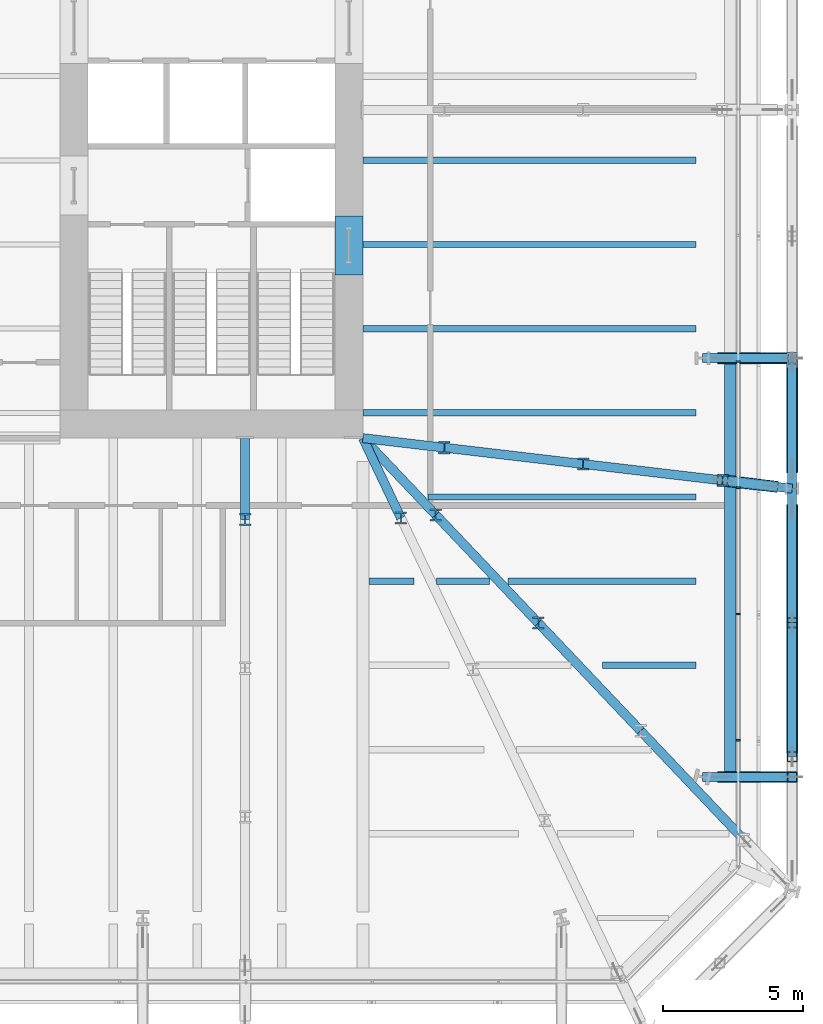
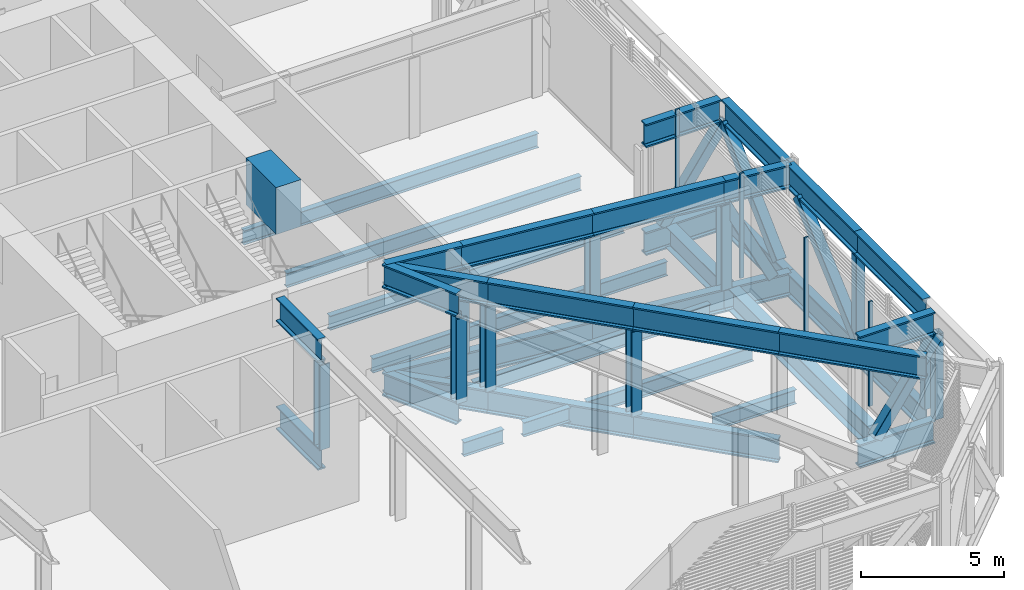
# One storey, part 8 of 29: 41 beams, 20 members, 1 element without a shape of its own.
"""IFC4 building model written with IfcOpenShell, lengths in metres."""

from ifc_helpers import new_model, si_unit, direction, frame, origin, origin_2d, place, context, subcontext, project, spatial, rectangle, hollow_rectangle, i_section, extrude, material, layer, layer_set, material_profile, profile_set, type_object, element, aggregate, save


model = new_model("IFC4")

# Units and contexts
model_context = context("Model", 3, precision=1e-05, world=origin(), true_north=direction((0.0, 1.0)))
body_context = subcontext(model_context, "Body", "Model", "MODEL_VIEW")
ifc_project = project(units=[si_unit("LENGTHUNIT", "METRE"), si_unit("AREAUNIT", "SQUARE_METRE"), si_unit("VOLUMEUNIT", "CUBIC_METRE"), si_unit("PLANEANGLEUNIT", "RADIAN"), si_unit("MASSUNIT", "GRAM", prefix="KILO")], contexts=[model_context])

# Site, building, storey
site_placement = place(None, origin())
site = spatial("IfcSite", under=ifc_project, at=site_placement, CompositionType="ELEMENT")
building_placement = place(site_placement, origin())
building = spatial("IfcBuilding", under=site, at=building_placement, Name="Millrace Tower", CompositionType="ELEMENT")
storey_placement = place(building_placement, frame((0.0, 0.0, 68.60009765625)))
storey = spatial("IfcBuildingStorey", under=building, at=storey_placement, Name="L15", CompositionType="ELEMENT", Elevation=68.60009765625)

# Curtain wall, members
ifc_material_1 = material(Name="Aluminium and glass", Category="aluminium")
ifc_layer = layer(ifc_material_1, 0.14990234375)
ifc_layer_set = layer_set([ifc_layer], Name="Aluminium and glass")
curtain_wall_type = type_object("IfcCurtainWallType", Name="CW-5 truss and plant storey louvred infill", PredefinedType="NOTDEFINED", material=ifc_layer_set)
curtain_wall_placement = place(storey_placement, origin())
curtain_wall = element("IfcCurtainWall", 1, at=curtain_wall_placement, inside=storey, type_object=curtain_wall_type, Name="Curtain wall B-F04 L15", PredefinedType="NOTDEFINED")
ifc_material_2 = material(Name="Aluminium", Category="aluminium")
ifc_material_profile_1 = material_profile(ifc_material_2, rectangle(XDim=0.06494140625, YDim=0.14990234375, at=origin_2d()))
ifc_profile_set_1 = profile_set([ifc_material_profile_1], Name="Aluminium")
member_type_1 = type_object("IfcMemberType", Name="CW-5 truss and plant storey louvred infill mullion", PredefinedType="MULLION", material=ifc_profile_set_1)
member_1_placement = place(storey_placement, frame((28.27490234375, -20.66748046875, 0.139892578125), z_axis=(0.0, 0.0, 1.0), x_axis=(0.0, 1.0, 0.0)))
member_1 = element("IfcMember", 2, at=member_1_placement, type_object=member_type_1, Name="CW5 mullion B-F04.2", PredefinedType="MULLION", context=body_context, shape_type="SweptSolid", body=[
    extrude(rectangle(XDim=0.06494140625, YDim=0.14990234375, at=origin_2d()), origin(), (0.0, 0.0, 1.0), 4.4599609375),
])
member_2_placement = place(storey_placement, frame((28.27490234375, -16.16748046875, 0.139892578125), z_axis=(0.0, 0.0, 1.0), x_axis=(0.0, 1.0, 0.0)))
member_2 = element("IfcMember", 3, at=member_2_placement, type_object=member_type_1, Name="CW5 mullion B-F04.3", PredefinedType="MULLION", context=body_context, shape_type="SweptSolid", body=[
    extrude(rectangle(XDim=0.06494140625, YDim=0.14990234375, at=origin_2d()), origin(), (0.0, 0.0, 1.0), 4.4599609375),
])
member_3_placement = place(storey_placement, frame((28.27490234375, -11.66748046875, 0.139892578125), z_axis=(0.0, 0.0, 1.0), x_axis=(0.0, 1.0, 0.0)))
member_3 = element("IfcMember", 4, at=member_3_placement, type_object=member_type_1, Name="CW5 mullion B-F04.4", PredefinedType="MULLION", context=body_context, shape_type="SweptSolid", body=[
    extrude(rectangle(XDim=0.06494140625, YDim=0.14990234375, at=origin_2d()), origin(), (0.0, 0.0, 1.0), 4.4599609375),
])
member_4_placement = place(storey_placement, frame((28.27490234375, -7.16748046875, 0.139892578125), z_axis=(0.0, 0.0, 1.0), x_axis=(0.0, 1.0, 0.0)))
member_4 = element("IfcMember", 5, at=member_4_placement, type_object=member_type_1, Name="CW5 mullion B-F04.5", PredefinedType="MULLION", context=body_context, shape_type="SweptSolid", body=[
    extrude(rectangle(XDim=0.06494140625, YDim=0.14990234375, at=origin_2d()), origin(), (0.0, 0.0, 1.0), 4.4599609375),
])
aggregate(curtain_wall, [member_1, member_2, member_3, member_4])

# Beams
ifc_material_3 = material(Name="Concrete C80", Category="concrete")
ifc_material_profile_2 = material_profile(ifc_material_3, rectangle(XDim=1.0, YDim=2.0, at=origin_2d()))
ifc_profile_set_2 = profile_set([ifc_material_profile_2], Name="Concrete C80")
beam_type_1 = type_object("IfcBeamType", Name="Coupling beam 1000 x 2000 Concrete C80, 1300 opening", PredefinedType="BEAM", material=ifc_profile_set_2)
beam_1_placement = place(storey_placement, frame((14.39990234375, -1.97998046875, 3.39990234375), z_axis=(0.0, -1.0, 0.0), x_axis=(1.0, 0.0, 0.0)))
element("IfcBeam", 6, at=beam_1_placement, inside=storey, type_object=beam_type_1, Name="Coupling beam E L15", PredefinedType="BEAM", context=body_context, shape_type="SweptSolid", body=[
    extrude(rectangle(XDim=1.0, YDim=2.0, at=origin_2d()), origin(), (0.0, 0.0, 1.0), 2.10009765625),
])
ifc_material_4 = material(Name="Steel ASTM A992 Grade 50", Category="steel")
ifc_material_profile_3 = material_profile(ifc_material_4, i_section(OverallWidth=0.228271484375, OverallDepth=0.607177734375, WebThickness=0.01123046875, FlangeThickness=0.017333984375, FilletRadius=0.0126953125, at=origin_2d()))
ifc_profile_set_3 = profile_set([ifc_material_profile_3], Name="Steel ASTM A992 Grade 50")
beam_type_2 = type_object("IfcBeamType", Name="Floor beam W24x76", PredefinedType="JOIST", material=ifc_profile_set_3)
beam_2_placement = place(storey_placement, frame((15.11083984375, -15.0, -0.503662109375), z_axis=(1.0, 0.0, 0.0), x_axis=(0.0, 1.0, 0.0)))
element("IfcBeam", 7, at=beam_2_placement, inside=storey, type_object=beam_type_2, Name="BM-B-L15-S1-S010-a", PredefinedType="JOIST", context=body_context, shape_type="SweptSolid", body=[
    extrude(i_section(OverallWidth=0.228271484375, OverallDepth=0.607177734375, WebThickness=0.01123046875, FlangeThickness=0.017333984375, FilletRadius=0.0126953125, at=origin_2d()), origin(), (0.0, 0.0, 1.0), 1.6123046875),
])
for number, where, z_axis, x_axis, name in (
    (8, (14.89990234375, -9.0, -0.503662109375), (1.0, 0.0, 0.0), (0.0, 1.0, 0.0), "BM-B-L15-S1-S015"),
    (9, (14.89990234375, -6.0, -0.503662109375), (1.0, 0.0, 0.0), (0.0, 1.0, 0.0), "BM-B-L15-S1-S018"),
    (10, (14.89990234375, -3.0, -0.503662109375), (1.0, 0.0, 0.0), (0.0, 1.0, 0.0), "BM-B-L15-S1-S021"),
    (11, (14.89990234375, 0.0, -0.503662109375), (1.0, 0.0, 0.0), (0.0, 1.0, 0.0), "BM-B-L15-S1-S024"),
):
    element("IfcBeam", number, at=place(storey_placement, frame(where, z_axis=z_axis, x_axis=x_axis)), inside=storey, type_object=beam_type_2, Name=name, PredefinedType="JOIST", context=body_context, shape_type="SweptSolid", body=[
        extrude(i_section(OverallWidth=0.228271484375, OverallDepth=0.607177734375, WebThickness=0.01123046875, FlangeThickness=0.017333984375, FilletRadius=0.0126953125, at=origin_2d()), origin(), (0.0, 0.0, 1.0), 11.87939453125),
    ])
beam_3_placement = place(storey_placement, frame((23.441162109375, -18.0, -0.503662109375), z_axis=(1.0, 0.0, 0.0), x_axis=(0.0, 1.0, 0.0)))
element("IfcBeam", 12, at=beam_3_placement, inside=storey, type_object=beam_type_2, Name="BM-B-L15-S1-S008-b-b", PredefinedType="JOIST", context=body_context, shape_type="SweptSolid", body=[
    extrude(i_section(OverallWidth=0.228271484375, OverallDepth=0.607177734375, WebThickness=0.01123046875, FlangeThickness=0.017333984375, FilletRadius=0.0126953125, at=origin_2d()), origin(), (0.0, 0.0, 1.0), 3.338134765625),
])
beam_4_placement = place(storey_placement, frame((17.2265625, -12.0, -0.503662109375), z_axis=(1.0, 0.0, 0.0), x_axis=(0.0, 1.0, 0.0)))
element("IfcBeam", 13, at=beam_4_placement, inside=storey, type_object=beam_type_2, Name="BM-B-L15-S1-S012", PredefinedType="JOIST", context=body_context, shape_type="SweptSolid", body=[
    extrude(i_section(OverallWidth=0.228271484375, OverallDepth=0.607177734375, WebThickness=0.01123046875, FlangeThickness=0.017333984375, FilletRadius=0.0126953125, at=origin_2d()), origin(), (0.0, 0.0, 1.0), 9.552001953125),
])
beam_5_placement = place(storey_placement, frame((17.515625, -15.0, -0.503662109375), z_axis=(1.0, 0.0, 0.0), x_axis=(0.0, 1.0, 0.0)))
element("IfcBeam", 14, at=beam_5_placement, inside=storey, type_object=beam_type_2, Name="BM-B-L15-S1-S010-b-a", PredefinedType="JOIST", context=body_context, shape_type="SweptSolid", body=[
    extrude(i_section(OverallWidth=0.228271484375, OverallDepth=0.607177734375, WebThickness=0.01123046875, FlangeThickness=0.017333984375, FilletRadius=0.0126953125, at=origin_2d()), origin(), (0.0, 0.0, 1.0), 1.88671875),
])
beam_6_placement = place(storey_placement, frame((20.07373046875, -15.0, -0.503662109375), z_axis=(1.0, 0.0, 0.0), x_axis=(0.0, 1.0, 0.0)))
element("IfcBeam", 15, at=beam_6_placement, inside=storey, type_object=beam_type_2, Name="BM-B-L15-S1-S010-b-b", PredefinedType="JOIST", context=body_context, shape_type="SweptSolid", body=[
    extrude(i_section(OverallWidth=0.228271484375, OverallDepth=0.607177734375, WebThickness=0.01123046875, FlangeThickness=0.017333984375, FilletRadius=0.0126953125, at=origin_2d()), origin(), (0.0, 0.0, 1.0), 6.70556640625),
])
ifc_material_5 = material(Name="Steel ASTM A992 Grade 50", Category="steel")
ifc_material_profile_4 = material_profile(ifc_material_5, i_section(OverallWidth=0.419189453125, OverallDepth=0.927001953125, WebThickness=0.019287109375, FlangeThickness=0.031982421875, FilletRadius=0.024169921875, at=origin_2d()))
ifc_profile_set_4 = profile_set([ifc_material_profile_4], Name="Steel ASTM A992 Grade 50")
beam_type_3 = type_object("IfcBeamType", Name="Ring beam short span W36x231", PredefinedType="SPANDREL", material=ifc_profile_set_4)
beam_7_placement = place(storey_placement, frame((27.990478515625, -11.6279296875, -0.66357421875), z_axis=(0.0, -1.0, 0.0), x_axis=(1.0, 0.0, 0.0)))
element("IfcBeam", 16, at=beam_7_placement, inside=storey, type_object=beam_type_3, Name="RNG-B-L15-S1-11-a", PredefinedType="SPANDREL", context=body_context, shape_type="SweptSolid", body=[
    extrude(i_section(OverallWidth=0.419189453125, OverallDepth=0.927001953125, WebThickness=0.019287109375, FlangeThickness=0.031982421875, FilletRadius=0.024169921875, at=origin_2d()), origin(), (0.0, 0.0, 1.0), 10.187744140625),
])
beam_8_placement = place(storey_placement, frame((27.990478515625, -7.212890625, -0.66357421875), z_axis=(0.0, -1.0, 0.0), x_axis=(1.0, 0.0, 0.0)))
element("IfcBeam", 17, at=beam_8_placement, inside=storey, type_object=beam_type_3, Name="RNG-B-L15-S1-10-b", PredefinedType="SPANDREL", context=body_context, shape_type="SweptSolid", body=[
    extrude(i_section(OverallWidth=0.419189453125, OverallDepth=0.927001953125, WebThickness=0.019287109375, FlangeThickness=0.031982421875, FilletRadius=0.024169921875, at=origin_2d()), origin(), (0.0, 0.0, 1.0), 4.060791015625),
])

# Members
ifc_material_6 = material(Name="Steel ASTM A992 Grade 50", Category="steel")
ifc_material_profile_5 = material_profile(ifc_material_6, i_section(OverallWidth=0.411376953125, OverallDepth=0.434326171875, WebThickness=0.035888671875, FlangeThickness=0.057373046875, FilletRadius=0.01513671875, at=origin_2d()))
ifc_profile_set_5 = profile_set([ifc_material_profile_5], Name="Steel ASTM A992 Grade 50")
member_type_2 = type_object("IfcMemberType", Name="Transfer truss Vierendeel moment post W14x311", PredefinedType="POST", material=ifc_profile_set_5)
for number, where, z_axis, x_axis, name in (
    (18, (10.699951171875, -12.800048828125, -0.2001953125), (0.0, 0.0, 1.0), (1.0, 0.0, 0.0), "TRS-L15-C04-V04"),
    (19, (16.252685546875, -12.744873046875, -0.2001953125), (0.0, 0.0, 1.0), (1.0, 0.0, 0.0), "TRS-L15-C05-V04"),
    (20, (21.14990234375, -16.48828125, -0.2001953125), (0.0, 0.0, 1.0), (1.0, 0.0, 0.0), "TRS-L15-C06-V03"),
    (21, (17.49462890625, -12.63525390625, -0.2001953125), (0.0, 0.0, 1.0), (1.0, 0.0, 0.0), "TRS-L15-C06-V04"),
    (22, (27.717041015625, -11.407958984375, -0.2001953125), (0.0, 0.0, 1.0), (1.0, 0.0, 0.0), "TRS-L15-C07-V01"),
    (23, (22.75146484375, -10.82373046875, -0.2001953125), (0.0, 0.0, 1.0), (1.0, 0.0, 0.0), "TRS-L15-C07-V02"),
    (24, (17.800048828125, -10.2412109375, -0.2001953125), (0.0, 0.0, 1.0), (1.0, 0.0, 0.0), "TRS-L15-C07-V03"),
):
    element("IfcMember", number, at=place(storey_placement, frame(where, z_axis=z_axis, x_axis=x_axis)), inside=storey, type_object=member_type_2, Name=name, PredefinedType="POST", context=body_context, shape_type="SweptSolid", body=[
        extrude(i_section(OverallWidth=0.411376953125, OverallDepth=0.434326171875, WebThickness=0.035888671875, FlangeThickness=0.057373046875, FilletRadius=0.01513671875, at=origin_2d()), origin(), (0.0, 0.0, 1.0), 3.60693359375),
    ])

# Beams
ifc_material_7 = material(Name="Steel ASTM A992 Grade 50", Category="steel")
ifc_material_profile_6 = material_profile(ifc_material_7, i_section(OverallWidth=0.322509765625, OverallDepth=0.9931640625, WebThickness=0.0361328125, FlangeThickness=0.06494140625, FilletRadius=0.01904296875, at=origin_2d()))
ifc_profile_set_6 = profile_set([ifc_material_profile_6], Name="Steel ASTM A992 Grade 50")
beam_type_4 = type_object("IfcBeamType", Name="Transfer truss chord W36x387", PredefinedType="BEAM", material=ifc_profile_set_6)
for number, where, z_axis, x_axis, name in (
    (25, (30.199951171875, -21.252197265625, -0.69677734375), (0.0, 1.0, 0.0), (-1.0, 0.0, 0.0), "TRS-L15-R06-B02"),
    (26, (30.199951171875, -21.252197265625, 3.9033203125), (0.0, 1.0, 0.0), (-1.0, 0.0, 0.0), "TRS-L15-R06-T02"),
    (27, (30.199951171875, -16.47607421875, -0.69677734375), (0.0, 1.0, 0.0), (-1.0, 0.0, 0.0), "TRS-L15-R06-B03"),
    (28, (30.199951171875, -16.47607421875, 3.9033203125), (0.0, 1.0, 0.0), (-1.0, 0.0, 0.0), "TRS-L15-R06-T03"),
):
    element("IfcBeam", number, at=place(storey_placement, frame(where, z_axis=z_axis, x_axis=x_axis)), inside=storey, type_object=beam_type_4, Name=name, PredefinedType="BEAM", context=body_context, shape_type="SweptSolid", body=[
        extrude(i_section(OverallWidth=0.322509765625, OverallDepth=0.9931640625, WebThickness=0.0361328125, FlangeThickness=0.06494140625, FilletRadius=0.01904296875, at=origin_2d()), origin(), (0.0, 0.0, 1.0), 4.776123046875),
    ])
for number, where, z_axis, x_axis, name in (
    (29, (30.199951171875, -11.699951171875, -0.69677734375), (0.0, 1.0, 0.0), (-1.0, 0.0, 0.0), "TRS-L15-R07-B01"),
    (30, (30.199951171875, -11.699951171875, 3.9033203125), (0.0, 1.0, 0.0), (-1.0, 0.0, 0.0), "TRS-L15-R07-T01"),
):
    element("IfcBeam", number, at=place(storey_placement, frame(where, z_axis=z_axis, x_axis=x_axis)), inside=storey, type_object=beam_type_4, Name=name, PredefinedType="BEAM", context=body_context, shape_type="SweptSolid", body=[
        extrude(i_section(OverallWidth=0.322509765625, OverallDepth=0.9931640625, WebThickness=0.0361328125, FlangeThickness=0.06494140625, FilletRadius=0.01904296875, at=origin_2d()), origin(), (0.0, 0.0, 1.0), 4.5),
    ])
for number, where, z_axis, x_axis, name in (
    (31, (10.699951171875, -12.800048828125, -0.69677734375), (0.0, 1.0, 0.0), (-1.0, 0.0, 0.0), "TRS-L15-C04-B05"),
    (32, (10.699951171875, -12.800048828125, 3.9033203125), (0.0, 1.0, 0.0), (-1.0, 0.0, 0.0), "TRS-L15-C04-T05"),
):
    element("IfcBeam", number, at=place(storey_placement, frame(where, z_axis=z_axis, x_axis=x_axis)), inside=storey, type_object=beam_type_4, Name=name, PredefinedType="BEAM", context=body_context, shape_type="SweptSolid", body=[
        extrude(i_section(OverallWidth=0.322509765625, OverallDepth=0.9931640625, WebThickness=0.0361328125, FlangeThickness=0.06494140625, FilletRadius=0.01904296875, at=origin_2d()), origin(), (0.0, 0.0, 1.0), 2.900146484375),
    ])
for number, where, z_axis, x_axis, name in (
    (33, (16.252685546875, -12.744873046875, -0.69677734375), (-0.42942510933, 0.903102472301, 0.0), (-0.903102472301, -0.42942510933, 0.0), "TRS-L15-C05-B05"),
    (34, (16.252685546875, -12.744873046875, 3.9033203125), (-0.42942510933, 0.903102472301, 0.0), (-0.903102472301, -0.42942510933, 0.0), "TRS-L15-C05-T05"),
):
    element("IfcBeam", number, at=place(storey_placement, frame(where, z_axis=z_axis, x_axis=x_axis)), inside=storey, type_object=beam_type_4, Name=name, PredefinedType="BEAM", context=body_context, shape_type="SweptSolid", body=[
        extrude(i_section(OverallWidth=0.322509765625, OverallDepth=0.9931640625, WebThickness=0.0361328125, FlangeThickness=0.06494140625, FilletRadius=0.01904296875, at=origin_2d()), origin(), (0.0, 0.0, 1.0), 3.150146484375),
    ])
beam_9_placement = place(storey_placement, frame((28.4794921875, -24.214599609375, 3.9033203125), z_axis=(-0.688243188925, 0.725480056858, 0.0), x_axis=(-0.725480056858, -0.688243188925, 0.0)))
element("IfcBeam", 35, at=beam_9_placement, inside=storey, type_object=beam_type_4, Name="TRS-L15-C06-T02", PredefinedType="BEAM", context=body_context, shape_type="SweptSolid", body=[
    extrude(i_section(OverallWidth=0.322509765625, OverallDepth=0.9931640625, WebThickness=0.0361328125, FlangeThickness=0.06494140625, FilletRadius=0.01904296875, at=origin_2d()), origin(), (0.0, 0.0, 1.0), 5.35009765625),
])
for number, where, z_axis, x_axis, name in (
    (36, (24.79736328125, -20.333251953125, -0.69677734375), (-0.688227483589, 0.725494955759, 0.0), (-0.725494955759, -0.688227483589, 0.0), "TRS-L15-C06-B03"),
    (37, (24.79736328125, -20.333251953125, 3.9033203125), (-0.688227483589, 0.725494955759, 0.0), (-0.725494955759, -0.688227483589, 0.0), "TRS-L15-C06-T03"),
):
    element("IfcBeam", number, at=place(storey_placement, frame(where, z_axis=z_axis, x_axis=x_axis)), inside=storey, type_object=beam_type_4, Name=name, PredefinedType="BEAM", context=body_context, shape_type="SweptSolid", body=[
        extrude(i_section(OverallWidth=0.322509765625, OverallDepth=0.9931640625, WebThickness=0.0361328125, FlangeThickness=0.06494140625, FilletRadius=0.01904296875, at=origin_2d()), origin(), (0.0, 0.0, 1.0), 5.2998046875),
    ])
for number, where, z_axis, x_axis, name in (
    (38, (21.14990234375, -16.48828125, -0.69677734375), (-0.688244302917, 0.725479000042, 0.0), (-0.725479000042, -0.688244302917, 0.0), "TRS-L15-C06-B04"),
    (39, (21.14990234375, -16.48828125, 3.9033203125), (-0.688244302917, 0.725479000042, 0.0), (-0.725479000042, -0.688244302917, 0.0), "TRS-L15-C06-T04"),
):
    element("IfcBeam", number, at=place(storey_placement, frame(where, z_axis=z_axis, x_axis=x_axis)), inside=storey, type_object=beam_type_4, Name=name, PredefinedType="BEAM", context=body_context, shape_type="SweptSolid", body=[
        extrude(i_section(OverallWidth=0.322509765625, OverallDepth=0.9931640625, WebThickness=0.0361328125, FlangeThickness=0.06494140625, FilletRadius=0.01904296875, at=origin_2d()), origin(), (0.0, 0.0, 1.0), 5.31103515625),
    ])
for number, where, z_axis, x_axis, name in (
    (40, (17.49462890625, -12.63525390625, -0.69677734375), (-0.688211494725, 0.725510122968, 0.0), (-0.725510122968, -0.688211494725, 0.0), "TRS-L15-C06-B05"),
    (41, (17.49462890625, -12.63525390625, 3.9033203125), (-0.688211494725, 0.725510122968, 0.0), (-0.725510122968, -0.688211494725, 0.0), "TRS-L15-C06-T05"),
):
    element("IfcBeam", number, at=place(storey_placement, frame(where, z_axis=z_axis, x_axis=x_axis)), inside=storey, type_object=beam_type_4, Name=name, PredefinedType="BEAM", context=body_context, shape_type="SweptSolid", body=[
        extrude(i_section(OverallWidth=0.322509765625, OverallDepth=0.9931640625, WebThickness=0.0361328125, FlangeThickness=0.06494140625, FilletRadius=0.01904296875, at=origin_2d()), origin(), (0.0, 0.0, 1.0), 3.770263671875),
    ])
for number, where, z_axis, x_axis, name in (
    (42, (30.199951171875, -11.699951171875, -0.69677734375), (-0.993155936009, 0.116795919318, 0.0), (-0.116795919318, -0.993155936009, 0.0), "TRS-L15-C07-B01"),
    (43, (30.199951171875, -11.699951171875, 3.9033203125), (-0.993155936009, 0.116795919318, 0.0), (-0.116795919318, -0.993155936009, 0.0), "TRS-L15-C07-T01"),
):
    element("IfcBeam", number, at=place(storey_placement, frame(where, z_axis=z_axis, x_axis=x_axis)), inside=storey, type_object=beam_type_4, Name=name, PredefinedType="BEAM", context=body_context, shape_type="SweptSolid", body=[
        extrude(i_section(OverallWidth=0.322509765625, OverallDepth=0.9931640625, WebThickness=0.0361328125, FlangeThickness=0.06494140625, FilletRadius=0.01904296875, at=origin_2d()), origin(), (0.0, 0.0, 1.0), 2.5),
    ])
for number, where, z_axis, x_axis, name in (
    (44, (27.717041015625, -11.407958984375, -0.69677734375), (-0.993149604359, 0.116849746951, 0.0), (-0.116849746951, -0.993149604359, 0.0), "TRS-L15-C07-B02"),
    (45, (27.717041015625, -11.407958984375, 3.9033203125), (-0.993149604359, 0.116849746951, 0.0), (-0.116849746951, -0.993149604359, 0.0), "TRS-L15-C07-T02"),
):
    element("IfcBeam", number, at=place(storey_placement, frame(where, z_axis=z_axis, x_axis=x_axis)), inside=storey, type_object=beam_type_4, Name=name, PredefinedType="BEAM", context=body_context, shape_type="SweptSolid", body=[
        extrude(i_section(OverallWidth=0.322509765625, OverallDepth=0.9931640625, WebThickness=0.0361328125, FlangeThickness=0.06494140625, FilletRadius=0.01904296875, at=origin_2d()), origin(), (0.0, 0.0, 1.0), 4.999755859375),
    ])
for number, where, z_axis, x_axis, name in (
    (46, (22.75146484375, -10.82373046875, -0.69677734375), (-0.993150604323, 0.116841247567, 0.0), (-0.116841247567, -0.993150604323, 0.0), "TRS-L15-C07-B03"),
    (47, (22.75146484375, -10.82373046875, 3.9033203125), (-0.993150604323, 0.116841247567, 0.0), (-0.116841247567, -0.993150604323, 0.0), "TRS-L15-C07-T03"),
):
    element("IfcBeam", number, at=place(storey_placement, frame(where, z_axis=z_axis, x_axis=x_axis)), inside=storey, type_object=beam_type_4, Name=name, PredefinedType="BEAM", context=body_context, shape_type="SweptSolid", body=[
        extrude(i_section(OverallWidth=0.322509765625, OverallDepth=0.9931640625, WebThickness=0.0361328125, FlangeThickness=0.06494140625, FilletRadius=0.01904296875, at=origin_2d()), origin(), (0.0, 0.0, 1.0), 4.985595703125),
    ])
for number, where, z_axis, x_axis, name in (
    (48, (17.800048828125, -10.2412109375, -0.69677734375), (-0.993146038094, 0.116880053982, 0.0), (-0.116880053982, -0.993146038094, 0.0), "TRS-L15-C07-B04"),
    (49, (17.800048828125, -10.2412109375, 3.9033203125), (-0.993146038094, 0.116880053982, 0.0), (-0.116880053982, -0.993146038094, 0.0), "TRS-L15-C07-T04"),
):
    element("IfcBeam", number, at=place(storey_placement, frame(where, z_axis=z_axis, x_axis=x_axis)), inside=storey, type_object=beam_type_4, Name=name, PredefinedType="BEAM", context=body_context, shape_type="SweptSolid", body=[
        extrude(i_section(OverallWidth=0.322509765625, OverallDepth=0.9931640625, WebThickness=0.0361328125, FlangeThickness=0.06494140625, FilletRadius=0.01904296875, at=origin_2d()), origin(), (0.0, 0.0, 1.0), 2.920166015625),
    ])
for number, where, z_axis, x_axis, name in (
    (50, (27.0, -21.978515625, -0.69677734375), (1.0, 0.0, 0.0), (0.0, 1.0, 0.0), "TRS-L15-B-A-X06-B01"),
    (51, (27.0, -21.978515625, 3.9033203125), (1.0, 0.0, 0.0), (0.0, 1.0, 0.0), "TRS-L15-B-A-X06-T01"),
    (52, (27.0, -7.050048828125, -0.69677734375), (1.0, 0.0, 0.0), (0.0, 1.0, 0.0), "TRS-L15-B-A-X07-B01"),
    (53, (27.0, -7.050048828125, 3.9033203125), (1.0, 0.0, 0.0), (0.0, 1.0, 0.0), "TRS-L15-B-A-X07-T01"),
):
    element("IfcBeam", number, at=place(storey_placement, frame(where, z_axis=z_axis, x_axis=x_axis)), inside=storey, type_object=beam_type_4, Name=name, PredefinedType="BEAM", context=body_context, shape_type="SweptSolid", body=[
        extrude(i_section(OverallWidth=0.322509765625, OverallDepth=0.9931640625, WebThickness=0.0361328125, FlangeThickness=0.06494140625, FilletRadius=0.01904296875, at=origin_2d()), origin(), (0.0, 0.0, 1.0), 3.038818359375),
    ])

# Members
ifc_material_8 = material(Name="Steel ASTM A500 Grade C", Category="steel")
ifc_material_profile_7 = material_profile(ifc_material_8, hollow_rectangle(XDim=0.406494140625, YDim=0.406494140625, WallThickness=0.015869140625, InnerFilletRadius=0.008056640625, OuterFilletRadius=0.02392578125, at=origin_2d()))
ifc_profile_set_7 = profile_set([ifc_material_profile_7], Name="Steel ASTM A500 Grade C")
member_type_3 = type_object("IfcMemberType", Name="Transfer truss diagonal HSS16x16x5/8", PredefinedType="BRACE", material=ifc_profile_set_7)
member_5_placement = place(storey_placement, frame((30.199951171875, -16.47607421875, -0.2001953125), z_axis=(0.0, -0.798003334985, 0.60265303231), x_axis=(1.0, 0.0, 0.0)))
element("IfcMember", 54, at=member_5_placement, inside=storey, type_object=member_type_3, Name="TRS-L15-R06-D02", PredefinedType="BRACE", context=body_context, shape_type="SweptSolid", body=[
    extrude(hollow_rectangle(XDim=0.406494140625, YDim=0.406494140625, WallThickness=0.015869140625, InnerFilletRadius=0.008056640625, OuterFilletRadius=0.02392578125, at=origin_2d()), origin(), (0.0, 0.0, 1.0), 5.985107421875),
])
member_6_placement = place(storey_placement, frame((30.199951171875, -16.47607421875, -0.2001953125), z_axis=(0.0, 0.748897240511, 0.662686142268), x_axis=(-1.0, 0.0, 0.0)))
element("IfcMember", 55, at=member_6_placement, inside=storey, type_object=member_type_3, Name="TRS-L15-R06-D03", PredefinedType="BRACE", context=body_context, shape_type="SweptSolid", body=[
    extrude(hollow_rectangle(XDim=0.406494140625, YDim=0.406494140625, WallThickness=0.015869140625, InnerFilletRadius=0.008056640625, OuterFilletRadius=0.02392578125, at=origin_2d()), origin(), (0.0, 0.0, 1.0), 5.44287109375),
])
member_7_placement = place(storey_placement, frame((30.199951171875, -11.0, -0.2001953125), z_axis=(0.0, 0.72529603748, 0.688437112607), x_axis=(-1.0, 0.0, 0.0)))
element("IfcMember", 56, at=member_7_placement, inside=storey, type_object=member_type_3, Name="TRS-L15-R07-D01", PredefinedType="BRACE", context=body_context, shape_type="SweptSolid", body=[
    extrude(hollow_rectangle(XDim=0.406494140625, YDim=0.406494140625, WallThickness=0.015869140625, InnerFilletRadius=0.008056640625, OuterFilletRadius=0.02392578125, at=origin_2d()), origin(), (0.0, 0.0, 1.0), 5.2392578125),
])
member_8_placement = place(storey_placement, frame((29.5048828125, -11.6181640625, -0.2001953125), z_axis=(-0.443501672846, 0.052144604714, 0.894755389133), x_axis=(-0.116770427661, -0.993158933517, 0.0)))
element("IfcMember", 57, at=member_8_placement, inside=storey, type_object=member_type_3, Name="TRS-L15-C07-D01", PredefinedType="BRACE", context=body_context, shape_type="SweptSolid", body=[
    extrude(hollow_rectangle(XDim=0.406494140625, YDim=0.406494140625, WallThickness=0.015869140625, InnerFilletRadius=0.008056640625, OuterFilletRadius=0.02392578125, at=origin_2d()), origin(), (0.0, 0.0, 1.0), 4.03125),
])
for number, where, z_axis, x_axis, name in (
    (58, (27.699951171875, -21.978515625, -0.2001953125), (0.569655383588, 0.0, 0.821883655969), (0.0, 1.0, 0.0), "TRS-L15-B-A-X06-D01"),
    (59, (27.699951171875, -7.050048828125, -0.2001953125), (0.569655383588, 0.0, 0.821883655969), (0.0, 1.0, 0.0), "TRS-L15-B-A-X07-D01"),
):
    element("IfcMember", number, at=place(storey_placement, frame(where, z_axis=z_axis, x_axis=x_axis)), inside=storey, type_object=member_type_3, Name=name, PredefinedType="BRACE", context=body_context, shape_type="SweptSolid", body=[
        extrude(hollow_rectangle(XDim=0.406494140625, YDim=0.406494140625, WallThickness=0.015869140625, InnerFilletRadius=0.008056640625, OuterFilletRadius=0.02392578125, at=origin_2d()), origin(), (0.0, 0.0, 1.0), 4.388671875),
    ])
ifc_material_9 = material(Name="Steel ASTM A500 Grade C", Category="steel")
ifc_material_profile_8 = material_profile(ifc_material_9, hollow_rectangle(XDim=0.355712890625, YDim=0.355712890625, WallThickness=0.015869140625, InnerFilletRadius=0.008056640625, OuterFilletRadius=0.02392578125, at=origin_2d()))
ifc_profile_set_8 = profile_set([ifc_material_profile_8], Name="Steel ASTM A500 Grade C")
member_type_4 = type_object("IfcMemberType", Name="Transfer truss post HSS14x14x5/8", PredefinedType="POST", material=ifc_profile_set_8)
for number, where, z_axis, x_axis, name in (
    (60, (30.199951171875, -21.252197265625, -0.2001953125), (0.0, 0.0, 1.0), (1.0, 0.0, 0.0), "TRS-L15-R06-V01"),
    (61, (30.199951171875, -16.47607421875, -0.2001953125), (0.0, 0.0, 1.0), (1.0, 0.0, 0.0), "TRS-L15-R06-V02"),
    (62, (30.199951171875, -21.978515625, -0.2001953125), (0.0, 0.0, 1.0), (1.0, 0.0, 0.0), "TRS-L15-B-A-X06-V01"),
):
    element("IfcMember", number, at=place(storey_placement, frame(where, z_axis=z_axis, x_axis=x_axis)), inside=storey, type_object=member_type_4, Name=name, PredefinedType="POST", context=body_context, shape_type="SweptSolid", body=[
        extrude(hollow_rectangle(XDim=0.355712890625, YDim=0.355712890625, WallThickness=0.015869140625, InnerFilletRadius=0.008056640625, OuterFilletRadius=0.02392578125, at=origin_2d()), origin(), (0.0, 0.0, 1.0), 3.60693359375),
    ])

save(model, "model.ifc")
